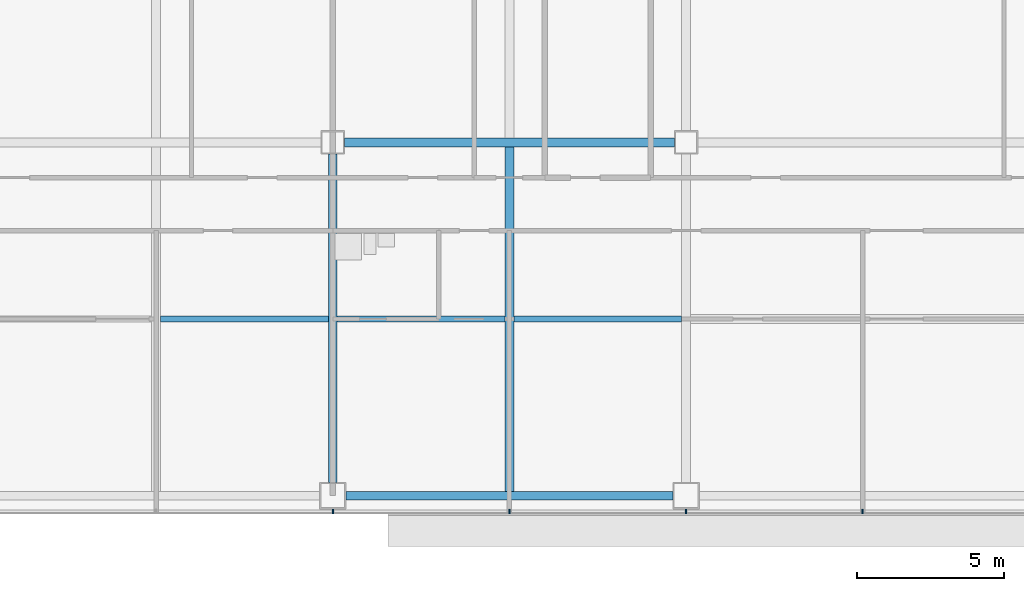
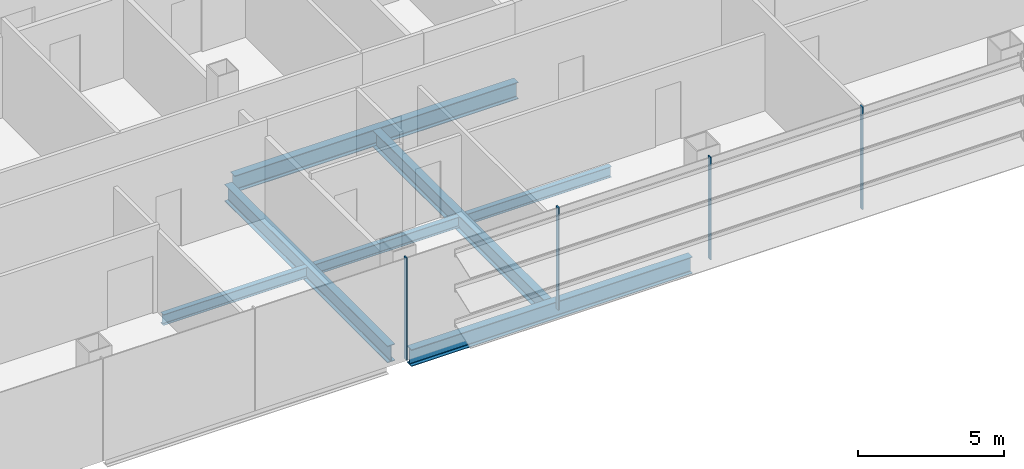
# One storey, part 8 of 27: 7 beams, 4 members, 1 element without a shape of its own.
"""IFC4 building model written with IfcOpenShell, lengths in metres."""

from ifc_helpers import new_model, si_unit, direction, frame, origin, origin_2d, place, context, subcontext, project, spatial, rectangle, i_section, extrude, material, material_profile, profile_set, type_object, element, aggregate, save


model = new_model("IFC4")

# Units and contexts
model_context = context("Model", 3, precision=1e-05, world=origin(), true_north=direction((0.0, 1.0)))
body_context = subcontext(model_context, "Body", "Model", "MODEL_VIEW")
ifc_project = project(units=[si_unit("LENGTHUNIT", "METRE"), si_unit("AREAUNIT", "SQUARE_METRE"), si_unit("VOLUMEUNIT", "CUBIC_METRE"), si_unit("PLANEANGLEUNIT", "RADIAN"), si_unit("MASSUNIT", "GRAM", prefix="KILO")], contexts=[model_context])

# Site, building, storey
site_placement = place(None, origin())
site = spatial("IfcSite", under=ifc_project, at=site_placement, CompositionType="ELEMENT")
building_placement = place(site_placement, origin())
building = spatial("IfcBuilding", under=site, at=building_placement, Name="Sorahane Residences", CompositionType="ELEMENT")
storey_placement = place(building_placement, frame((0.0, 0.0, 85.800048828125)))
storey = spatial("IfcBuildingStorey", under=building, at=storey_placement, Name="L18", CompositionType="ELEMENT", Elevation=85.800048828125)

# Curtain wall, members
ifc_material_1 = material(Name="Dark low-e glass and black anodised aluminium", Category="aluminium")
curtain_wall_type = type_object("IfcCurtainWallType", Name="Curtain wall CW-1 Typical unitised wall", PredefinedType="NOTDEFINED", material=ifc_material_1)
curtain_wall_placement = place(storey_placement, origin())
curtain_wall = element("IfcCurtainWall", 1, at=curtain_wall_placement, inside=storey, type_object=curtain_wall_type, Name="CW-1 curtain wall L18 S1", PredefinedType="NOTDEFINED")
ifc_material_2 = material(Name="Black anodised aluminium", Category="aluminium")
ifc_material_profile_1 = material_profile(ifc_material_2, rectangle(XDim=0.159912109375, YDim=0.050048828125, at=origin_2d()), Name="Curtain wall mullion CW-1 black anodised aluminium 50x160")
ifc_profile_set_1 = profile_set([ifc_material_profile_1], Name="Black anodised aluminium")
member_type = type_object("IfcMemberType", Name="Curtain wall mullion CW-1 black anodised aluminium 50x160", PredefinedType="MULLION", material=ifc_profile_set_1)
member_1_placement = place(storey_placement, frame((36.0, -0.5400390625, -0.179931640625), z_axis=(0.0, 0.0, 1.0), x_axis=(0.0, -1.0, 0.0)))
member_1 = element("IfcMember", 2, at=member_1_placement, type_object=member_type, Name="CW-1 mullion L18 S1.6", PredefinedType="MULLION", context=body_context, shape_type="SweptSolid", body=[
    extrude(rectangle(XDim=0.159912109375, YDim=0.050048828125, at=origin_2d()), origin(), (0.0, 0.0, 1.0), 4.27978515625),
])
member_2_placement = place(storey_placement, frame((42.0, -0.5400390625, -0.179931640625), z_axis=(0.0, 0.0, 1.0), x_axis=(0.0, -1.0, 0.0)))
member_2 = element("IfcMember", 3, at=member_2_placement, type_object=member_type, Name="CW-1 mullion L18 S1.7", PredefinedType="MULLION", context=body_context, shape_type="SweptSolid", body=[
    extrude(rectangle(XDim=0.159912109375, YDim=0.050048828125, at=origin_2d()), origin(), (0.0, 0.0, 1.0), 4.27978515625),
])
member_3_placement = place(storey_placement, frame((48.0, -0.5400390625, -0.179931640625), z_axis=(0.0, 0.0, 1.0), x_axis=(0.0, -1.0, 0.0)))
member_3 = element("IfcMember", 4, at=member_3_placement, type_object=member_type, Name="CW-1 mullion L18 S1.8", PredefinedType="MULLION", context=body_context, shape_type="SweptSolid", body=[
    extrude(rectangle(XDim=0.159912109375, YDim=0.050048828125, at=origin_2d()), origin(), (0.0, 0.0, 1.0), 4.27978515625),
])
member_4_placement = place(storey_placement, frame((54.0, -0.5400390625, -0.179931640625), z_axis=(0.0, 0.0, 1.0), x_axis=(0.0, -1.0, 0.0)))
member_4 = element("IfcMember", 5, at=member_4_placement, type_object=member_type, Name="CW-1 mullion L18 S1.9", PredefinedType="MULLION", context=body_context, shape_type="SweptSolid", body=[
    extrude(rectangle(XDim=0.159912109375, YDim=0.050048828125, at=origin_2d()), origin(), (0.0, 0.0, 1.0), 4.27978515625),
])
aggregate(curtain_wall, [member_1, member_2, member_3, member_4])

# Beams
ifc_material_3 = material(Name="Steel Q355B", Category="steel")
ifc_material_profile_2 = material_profile(ifc_material_3, i_section(OverallWidth=0.199951171875, OverallDepth=0.449951171875, WebThickness=0.009033203125, FlangeThickness=0.013916015625, FilletRadius=0.02001953125, at=origin_2d()), Name="HN 450x200x9x14")
ifc_profile_set_2 = profile_set([ifc_material_profile_2], Name="Steel Q355B")
beam_type_1 = type_object("IfcBeamType", Name="Steel floor beam HN 450x200x9x14 Q355B", PredefinedType="BEAM", material=ifc_profile_set_2)
for number, where, z_axis, x_axis, name in (
    (6, (30.14990234375, 6.0, -0.405029296875), (1.0, 0.0, 0.0), (0.0, 1.0, 0.0), "Beam L18 066"),
    (7, (36.14990234375, 6.0, -0.405029296875), (1.0, 0.0, 0.0), (0.0, 1.0, 0.0), "Beam L18 067"),
    (8, (42.14990234375, 6.0, -0.405029296875), (1.0, 0.0, 0.0), (0.0, 1.0, 0.0), "Beam L18 068"),
):
    element("IfcBeam", number, at=place(storey_placement, frame(where, z_axis=z_axis, x_axis=x_axis)), inside=storey, type_object=beam_type_1, Name=name, PredefinedType="BEAM", context=body_context, shape_type="SweptSolid", body=[
        extrude(i_section(OverallWidth=0.199951171875, OverallDepth=0.449951171875, WebThickness=0.009033203125, FlangeThickness=0.013916015625, FilletRadius=0.02001953125, at=origin_2d()), origin(), (0.0, 0.0, 1.0), 5.7001953125),
    ])
ifc_material_4 = material(Name="Steel Q355B", Category="steel")
ifc_material_profile_3 = material_profile(ifc_material_4, i_section(OverallWidth=0.300048828125, OverallDepth=0.699951171875, WebThickness=0.012939453125, FlangeThickness=0.02392578125, FilletRadius=0.028076171875, at=origin_2d()), Name="HN 700x300x13x24")
ifc_profile_set_3 = profile_set([ifc_material_profile_3], Name="Steel Q355B")
beam_type_2 = type_object("IfcBeamType", Name="Steel floor beam HN 700x300x13x24 Q355B", PredefinedType="BEAM", material=ifc_profile_set_3)
beam_1_placement = place(storey_placement, frame((36.449951171875, 0.0, -0.530029296875), z_axis=(1.0, 0.0, 0.0), x_axis=(0.0, 1.0, 0.0)))
element("IfcBeam", 9, at=beam_1_placement, inside=storey, type_object=beam_type_2, Name="Beam L18 003", PredefinedType="BEAM", context=body_context, shape_type="SweptSolid", body=[
    extrude(i_section(OverallWidth=0.300048828125, OverallDepth=0.699951171875, WebThickness=0.012939453125, FlangeThickness=0.02392578125, FilletRadius=0.028076171875, at=origin_2d()), origin(), (0.0, 0.0, 1.0), 11.10009765625),
])
beam_2_placement = place(storey_placement, frame((36.39990234375, 12.0, -0.530029296875), z_axis=(1.0, 0.0, 0.0), x_axis=(0.0, 1.0, 0.0)))
element("IfcBeam", 10, at=beam_2_placement, inside=storey, type_object=beam_type_2, Name="Beam L18 008", PredefinedType="BEAM", context=body_context, shape_type="SweptSolid", body=[
    extrude(i_section(OverallWidth=0.300048828125, OverallDepth=0.699951171875, WebThickness=0.012939453125, FlangeThickness=0.02392578125, FilletRadius=0.028076171875, at=origin_2d()), origin(), (0.0, 0.0, 1.0), 11.2001953125),
])
beam_3_placement = place(storey_placement, frame((36.0, 0.449951171875, -0.530029296875), z_axis=(0.0, 1.0, 0.0), x_axis=(-1.0, 0.0, 0.0)))
element("IfcBeam", 11, at=beam_3_placement, inside=storey, type_object=beam_type_2, Name="Beam L18 043", PredefinedType="BEAM", context=body_context, shape_type="SweptSolid", body=[
    extrude(i_section(OverallWidth=0.300048828125, OverallDepth=0.699951171875, WebThickness=0.012939453125, FlangeThickness=0.02392578125, FilletRadius=0.028076171875, at=origin_2d()), origin(), (0.0, 0.0, 1.0), 11.150146484375),
])
beam_4_placement = place(storey_placement, frame((42.0, 0.14990234375, -0.530029296875), z_axis=(0.0, 1.0, 0.0), x_axis=(-1.0, 0.0, 0.0)))
element("IfcBeam", 12, at=beam_4_placement, inside=storey, type_object=beam_type_2, Name="Beam L18 045", PredefinedType="BEAM", context=body_context, shape_type="SweptSolid", body=[
    extrude(i_section(OverallWidth=0.300048828125, OverallDepth=0.699951171875, WebThickness=0.012939453125, FlangeThickness=0.02392578125, FilletRadius=0.028076171875, at=origin_2d()), origin(), (0.0, 0.0, 1.0), 11.7001953125),
])

save(model, "model.ifc")
